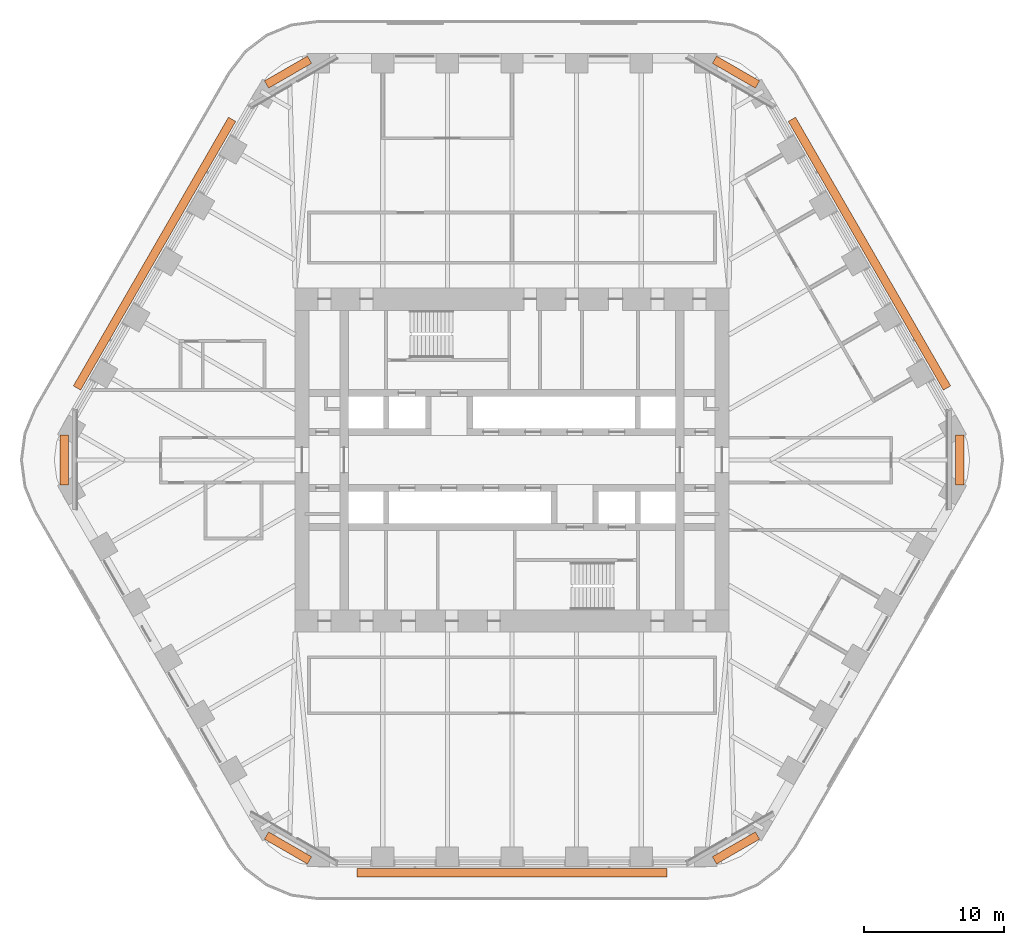
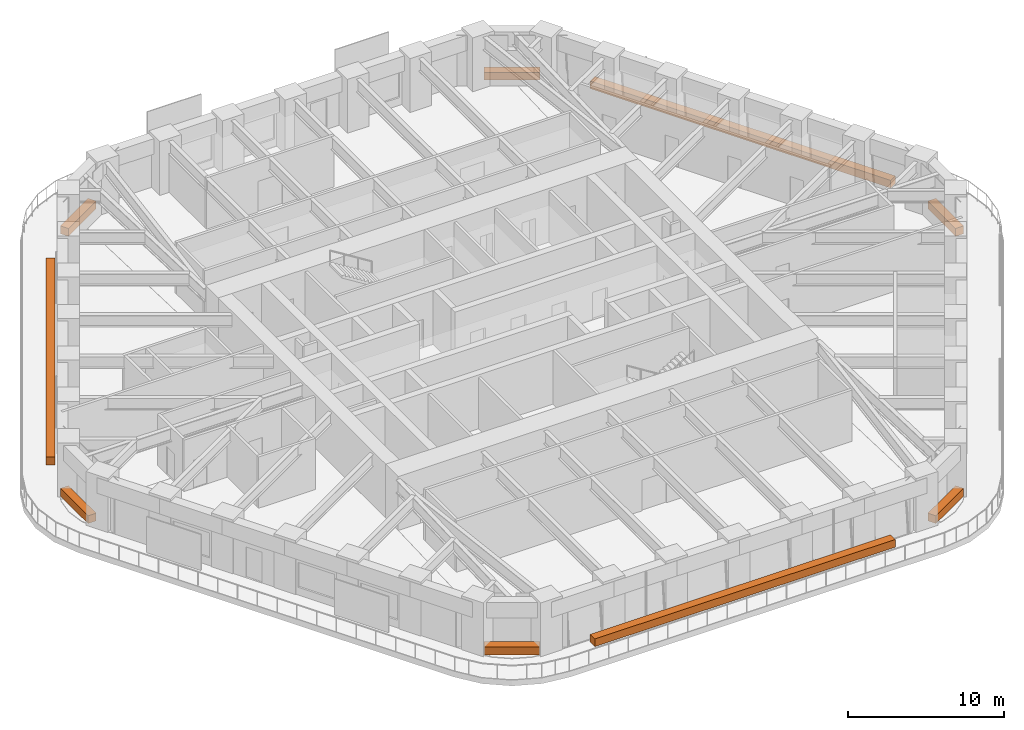
# One storey, part 20 of 20: 9 proxies.
"""IFC4 building model written with IfcOpenShell, lengths in metres."""

import ifcopenshell
import ifcopenshell.guid

model = None  # the IFC model being written
_history = None  # IfcOwnerHistory: only IFC2X3 demands one
_inside = {}  # id of a spatial element -> (the spatial element, [elements in it])
_under = {}  # id of a project, library or spatial element -> (it, [spatial elements below it])
_declared = {}  # id of a project -> (the project, [libraries it declares])
_typed = {}  # id of a type object -> (the type object, [elements of that type])
_made_of = {}  # id of a material, layer set ... -> (it, [elements and type objects made of it])


def new_model(schema):
    """Start an empty IFC model of exactly this schema.

    Asked for "IFC4X3", IfcOpenShell would pick the latest addendum, in which some entities
    have other attributes; the version numbers below select the first issue.
    IFC2X3 requires an IfcOwnerHistory on every rooted entity: one is made here for all.
    """
    global model, _history
    if schema == "IFC4X3":
        model = ifcopenshell.file(schema_version=(4, 3, 0, 0))
    else:
        model = ifcopenshell.file(schema=schema)
    _inside.clear()
    _under.clear()
    _declared.clear()
    _typed.clear()
    _made_of.clear()
    _history = None
    if model.schema == "IFC2X3":
        org = make("IfcOrganization", Name="unknown")
        user = make(
            "IfcPersonAndOrganization",
            ThePerson=make("IfcPerson", FamilyName="unknown"),
            TheOrganization=org,
        )
        app = make(
            "IfcApplication",
            ApplicationDeveloper=org,
            Version="unknown",
            ApplicationFullName="unknown",
            ApplicationIdentifier="unknown",
        )
        _history = make(
            "IfcOwnerHistory",
            OwningUser=user,
            OwningApplication=app,
            ChangeAction="ADDED",
            CreationDate=0,
        )
    return model


def make(cls, **values):
    """One entity of the class cls with the attributes given. An attribute that is None is left unset."""
    return model.create_entity(
        cls, **{name: value for name, value in values.items() if value is not None}
    )


def rooted(cls, **values):
    """An entity with a GlobalId (a new one), such as an element, a storey or a relation."""
    return make(cls, GlobalId=ifcopenshell.guid.new(), OwnerHistory=_history, **values)


def si_unit(unit_type, name, prefix=None):
    """IfcSIUnit, for example si_unit("LENGTHUNIT", "METRE", prefix="MILLI")."""
    return make("IfcSIUnit", UnitType=unit_type, Prefix=prefix, Name=name)


def assignment(units):
    """IfcUnitAssignment: the units of a project."""
    return None if units is None else make("IfcUnitAssignment", Units=units)


def point(xyz):
    """IfcCartesianPoint."""
    return None if xyz is None else make("IfcCartesianPoint", Coordinates=xyz)


def direction(xyz):
    """IfcDirection."""
    return None if xyz is None else make("IfcDirection", DirectionRatios=xyz)


def frame(location, z_axis=None, x_axis=None):
    """IfcAxis2Placement3D, a coordinate frame: its origin and axes. An axis left out is left unset."""
    return make(
        "IfcAxis2Placement3D",
        Location=point(location),
        Axis=direction(z_axis),
        RefDirection=direction(x_axis),
    )


def frame_2d(location, x_axis=None):
    """IfcAxis2Placement2D, a coordinate frame in the plane: its origin and x axis."""
    return make(
        "IfcAxis2Placement2D", Location=point(location), RefDirection=direction(x_axis)
    )


def origin():
    """The frame at (0, 0, 0) with its axes left unset."""
    return frame((0.0, 0.0, 0.0))


def origin_2d():
    """The frame at (0, 0) in the plane with its x axis left unset."""
    return frame_2d((0.0, 0.0))


def place(relative_to, where):
    """IfcLocalPlacement: puts the frame where relative to a parent placement (None: the world)."""
    return make(
        "IfcLocalPlacement", PlacementRelTo=relative_to, RelativePlacement=where
    )


def context(
    kind, dimensions, precision=None, world=None, true_north=None, identifier=None
):
    """IfcGeometricRepresentationContext, for example the 3D "Model" context."""
    return make(
        "IfcGeometricRepresentationContext",
        ContextIdentifier=identifier,
        ContextType=kind,
        CoordinateSpaceDimension=dimensions,
        Precision=precision,
        WorldCoordinateSystem=world,
        TrueNorth=true_north,
    )


def subcontext(parent, identifier, kind, view, scale=None):
    """IfcGeometricRepresentationSubContext, for example "Body" below "Model"."""
    return make(
        "IfcGeometricRepresentationSubContext",
        ContextIdentifier=identifier,
        ContextType=kind,
        ParentContext=parent,
        TargetScale=scale,
        TargetView=view,
    )


def project(units=None, contexts=None):
    """IfcProject with its units and contexts."""
    return rooted(
        "IfcProject",
        Name="project",
        RepresentationContexts=contexts,
        UnitsInContext=assignment(units),
    )


def spatial(cls, under=None, at=None, **own):
    """A site, building, storey or space (cls), placed at a placement, below another one or the project."""
    s = rooted(cls, ObjectPlacement=at, **own)
    if under is not None:
        _under.setdefault(under.id(), (under, []))[1].append(s)
    return s


def profile(cls, at=None, kind="AREA", **sizes):
    """A parametric profile (cls). Its sizes go by their IFC names, for example OverallWidth=200.0."""
    return make(cls, ProfileType=kind, Position=at, **sizes)


def rectangle(**sizes):
    """IfcRectangleProfileDef."""
    return profile("IfcRectangleProfileDef", **sizes)


def extrude(swept, where, along, depth):
    """IfcExtrudedAreaSolid: the profile swept, set in the frame where, extruded along a direction by depth."""
    return make(
        "IfcExtrudedAreaSolid",
        SweptArea=swept,
        Position=where,
        ExtrudedDirection=direction(along),
        Depth=depth,
    )


def shape(context_of_items, identifier, shape_type, items):
    """IfcShapeRepresentation: the items that make up one representation, for example the "Body"."""
    return make(
        "IfcShapeRepresentation",
        ContextOfItems=context_of_items,
        RepresentationIdentifier=identifier,
        RepresentationType=shape_type,
        Items=items,
    )


def material(Name=None, Category=None):
    """IfcMaterial."""
    return make("IfcMaterial", Name=Name, Category=Category)


def made_of(thing, what):
    """Note that an element or type object is made of a material, layer set ...; save() writes the relation."""
    if what is not None:
        _made_of.setdefault(what.id(), (what, []))[1].append(thing)
    return thing


def element(
    cls,
    number,
    at=None,
    inside=None,
    cuts=None,
    type_object=None,
    material=None,
    context=None,
    identifier="Body",
    shape_type=None,
    held_by="IfcProductDefinitionShape",
    body=None,
    shapes=None,
    **own,
):
    """One element of the class cls, such as IfcWall. Its Tag is "e" and its number.

    at: its placement. inside: the storey or other place that contains it. cuts: it is an
    opening in that element (IfcRelVoidsElement). A single representation is given by context,
    identifier, shape_type and body (its items); several are given by shapes. held_by: the class
    of the entity that holds the representations. save() writes the other relations.
    """
    e = rooted(cls, Tag="e%d" % number, ObjectPlacement=at, **own)
    if body is not None:
        shapes = [shape(context, identifier, shape_type, body)]
    if shapes is not None:
        e.Representation = make(held_by, Representations=shapes)
    if inside is not None:
        _inside.setdefault(inside.id(), (inside, []))[1].append(e)
    if cuts is not None:
        rooted(
            "IfcRelVoidsElement", RelatingBuildingElement=cuts, RelatedOpeningElement=e
        )
    if type_object is not None:
        _typed.setdefault(type_object.id(), (type_object, []))[1].append(e)
    return made_of(e, material)


def aggregate(whole, parts):
    """IfcRelAggregates: a whole, such as a stair, and the parts it consists of."""
    return rooted("IfcRelAggregates", RelatingObject=whole, RelatedObjects=parts)


def save(model, path):
    """Write the relations noted so far, then the file.

    IfcRelAggregates (storeys below a building ...), IfcRelContainedInSpatialStructure (elements
    in a storey), IfcRelDefinesByType, IfcRelAssociatesMaterial and IfcRelDeclares: one each for
    every whole, place, type object, material and project.
    """
    for whole, parts in _under.values():
        aggregate(whole, parts)
    for where, things in _inside.values():
        rooted(
            "IfcRelContainedInSpatialStructure",
            RelatedElements=things,
            RelatingStructure=where,
        )
    for kind, things in _typed.values():
        rooted("IfcRelDefinesByType", RelatedObjects=things, RelatingType=kind)
    for what, things in _made_of.values():
        rooted("IfcRelAssociatesMaterial", RelatedObjects=things, RelatingMaterial=what)
    for by, libraries in _declared.values():
        rooted("IfcRelDeclares", RelatingContext=by, RelatedDefinitions=libraries)
    model.write(path)


model = new_model("IFC4")

# Units and contexts
model_context = context("Model", 3, precision=1e-05, world=origin(), true_north=direction((0.0, 1.0)))
body_context = subcontext(model_context, "Body", "Model", "MODEL_VIEW")
ifc_project = project(units=[si_unit("LENGTHUNIT", "METRE"), si_unit("AREAUNIT", "SQUARE_METRE"), si_unit("VOLUMEUNIT", "CUBIC_METRE"), si_unit("PLANEANGLEUNIT", "RADIAN"), si_unit("MASSUNIT", "GRAM", prefix="KILO")], contexts=[model_context])

# Site, building, storey
site_placement = place(None, origin())
site = spatial("IfcSite", under=ifc_project, at=site_placement, CompositionType="ELEMENT")
building_placement = place(site_placement, origin())
building = spatial("IfcBuilding", under=site, at=building_placement, Name="Tarfa Lantern Tower", CompositionType="ELEMENT")
storey_placement = place(building_placement, frame((0.0, 0.0, 232.300048828125)))
storey = spatial("IfcBuildingStorey", under=building, at=storey_placement, Name="L52", CompositionType="ELEMENT", Elevation=232.300048828125)

# Proxies
ifc_material = material(Name="Planting bed")
for number, where, z_axis, x_axis, name in (
    (1, (16.006591796875, 27.72412109375, 0.039794921875), (0.0, 0.0, 1.0), (-0.866025403784, 0.5, 0.0), "Sky garden planter"),
    (2, (-16.006591796875, 27.72412109375, 0.039794921875), (0.0, 0.0, 1.0), (-0.866025403784, -0.5, 0.0), "Sky garden planter"),
    (3, (-32.012939453125, 0.0, 0.039794921875), (0.0, 0.0, 1.0), (0.0, -1.0, 0.0), "Sky garden planter"),
    (4, (-16.006591796875, -27.72412109375, 0.039794921875), (0.0, 0.0, 1.0), (0.866025403784, -0.5, 0.0), "Sky garden planter"),
    (5, (16.006591796875, -27.72412109375, 0.039794921875), (0.0, 0.0, 1.0), (0.866025403784, 0.5, 0.0), "Sky garden planter"),
    (6, (32.012939453125, 0.0, 0.039794921875), (0.0, 0.0, 1.0), (0.0, 1.0, 0.0), "Sky garden planter"),
):
    element("IfcBuildingElementProxy", number, at=place(storey_placement, frame(where, z_axis=z_axis, x_axis=x_axis)), inside=storey, material=ifc_material, Name=name, ObjectType="PLANTER", PredefinedType="USERDEFINED", context=body_context, shape_type="SweptSolid", body=[
        extrude(rectangle(XDim=3.551025390625, YDim=0.60009765625, at=origin_2d()), origin(), (0.0, 0.0, 1.0), 0.60009765625),
    ])
for number, where, z_axis, x_axis, name in (
    (7, (25.5478515625, 14.75, 0.0), (0.0, 0.0, 1.0), (-0.5, 0.866025403784, 0.0), "Balcony planter"),
    (8, (-25.5478515625, 14.75, 0.0), (0.0, 0.0, 1.0), (-0.5, -0.866025403784, 0.0), "Balcony planter"),
    (9, (0.0, -29.5, 0.0), (0.0, 0.0, 1.0), (1.0, 0.0, 0.0), "Balcony planter"),
):
    element("IfcBuildingElementProxy", number, at=place(storey_placement, frame(where, z_axis=z_axis, x_axis=x_axis)), inside=storey, material=ifc_material, Name=name, ObjectType="PLANTER", PredefinedType="USERDEFINED", context=body_context, shape_type="SweptSolid", body=[
        extrude(rectangle(XDim=22.170166015625, YDim=0.60009765625, at=origin_2d()), origin(), (0.0, 0.0, 1.0), 0.60009765625),
    ])

save(model, "model.ifc")
